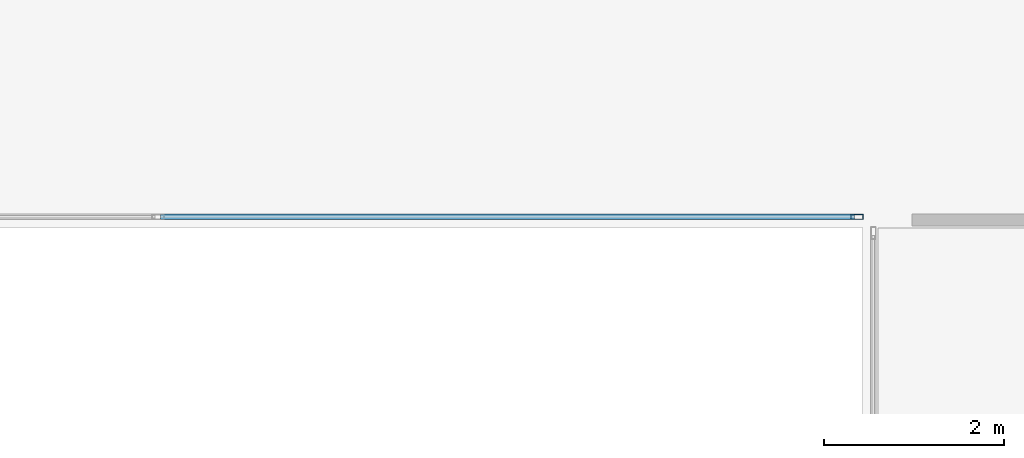
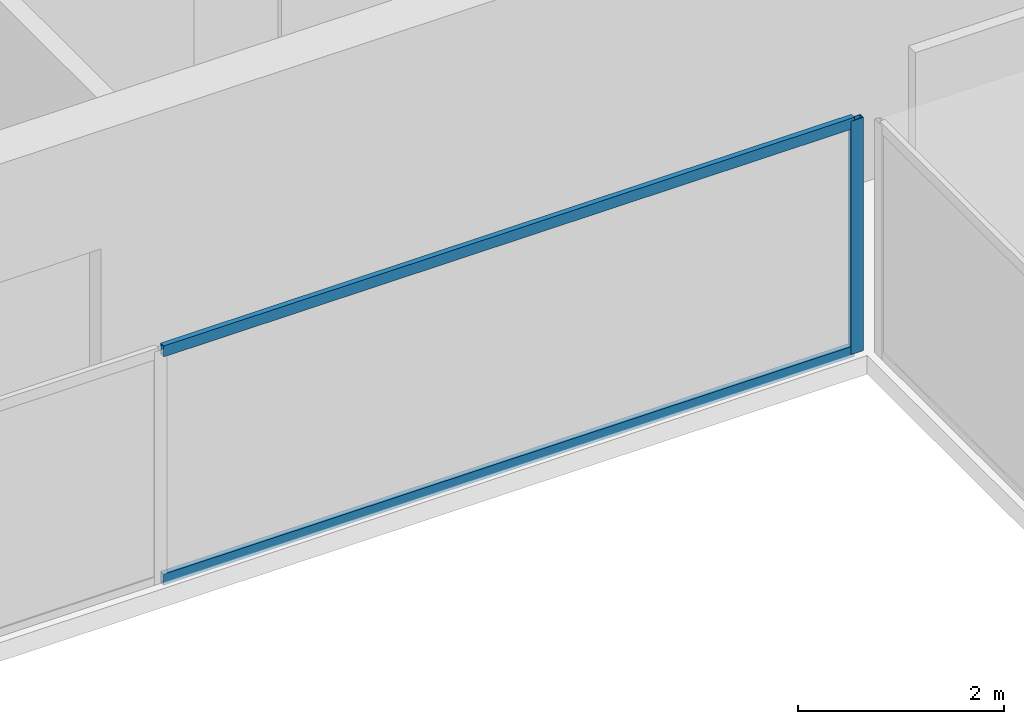
# One storey, part 11 of 29: 3 members, 1 element without a shape of its own.
"""IFC4 building model written with IfcOpenShell, lengths in metres."""

import ifcopenshell
import ifcopenshell.guid

model = None  # the IFC model being written
_history = None  # IfcOwnerHistory: only IFC2X3 demands one
_inside = {}  # id of a spatial element -> (the spatial element, [elements in it])
_under = {}  # id of a project, library or spatial element -> (it, [spatial elements below it])
_declared = {}  # id of a project -> (the project, [libraries it declares])
_typed = {}  # id of a type object -> (the type object, [elements of that type])
_made_of = {}  # id of a material, layer set ... -> (it, [elements and type objects made of it])


def new_model(schema):
    """Start an empty IFC model of exactly this schema.

    Asked for "IFC4X3", IfcOpenShell would pick the latest addendum, in which some entities
    have other attributes; the version numbers below select the first issue.
    IFC2X3 requires an IfcOwnerHistory on every rooted entity: one is made here for all.
    """
    global model, _history
    if schema == "IFC4X3":
        model = ifcopenshell.file(schema_version=(4, 3, 0, 0))
    else:
        model = ifcopenshell.file(schema=schema)
    _inside.clear()
    _under.clear()
    _declared.clear()
    _typed.clear()
    _made_of.clear()
    _history = None
    if model.schema == "IFC2X3":
        org = make("IfcOrganization", Name="unknown")
        user = make(
            "IfcPersonAndOrganization",
            ThePerson=make("IfcPerson", FamilyName="unknown"),
            TheOrganization=org,
        )
        app = make(
            "IfcApplication",
            ApplicationDeveloper=org,
            Version="unknown",
            ApplicationFullName="unknown",
            ApplicationIdentifier="unknown",
        )
        _history = make(
            "IfcOwnerHistory",
            OwningUser=user,
            OwningApplication=app,
            ChangeAction="ADDED",
            CreationDate=0,
        )
    return model


def make(cls, **values):
    """One entity of the class cls with the attributes given. An attribute that is None is left unset."""
    return model.create_entity(
        cls, **{name: value for name, value in values.items() if value is not None}
    )


def rooted(cls, **values):
    """An entity with a GlobalId (a new one), such as an element, a storey or a relation."""
    return make(cls, GlobalId=ifcopenshell.guid.new(), OwnerHistory=_history, **values)


def si_unit(unit_type, name, prefix=None):
    """IfcSIUnit, for example si_unit("LENGTHUNIT", "METRE", prefix="MILLI")."""
    return make("IfcSIUnit", UnitType=unit_type, Prefix=prefix, Name=name)


def assignment(units):
    """IfcUnitAssignment: the units of a project."""
    return None if units is None else make("IfcUnitAssignment", Units=units)


def point(xyz):
    """IfcCartesianPoint."""
    return None if xyz is None else make("IfcCartesianPoint", Coordinates=xyz)


def direction(xyz):
    """IfcDirection."""
    return None if xyz is None else make("IfcDirection", DirectionRatios=xyz)


def frame(location, z_axis=None, x_axis=None):
    """IfcAxis2Placement3D, a coordinate frame: its origin and axes. An axis left out is left unset."""
    return make(
        "IfcAxis2Placement3D",
        Location=point(location),
        Axis=direction(z_axis),
        RefDirection=direction(x_axis),
    )


def frame_2d(location, x_axis=None):
    """IfcAxis2Placement2D, a coordinate frame in the plane: its origin and x axis."""
    return make(
        "IfcAxis2Placement2D", Location=point(location), RefDirection=direction(x_axis)
    )


def origin():
    """The frame at (0, 0, 0) with its axes left unset."""
    return frame((0.0, 0.0, 0.0))


def origin_2d():
    """The frame at (0, 0) in the plane with its x axis left unset."""
    return frame_2d((0.0, 0.0))


def place(relative_to, where):
    """IfcLocalPlacement: puts the frame where relative to a parent placement (None: the world)."""
    return make(
        "IfcLocalPlacement", PlacementRelTo=relative_to, RelativePlacement=where
    )


def context(
    kind, dimensions, precision=None, world=None, true_north=None, identifier=None
):
    """IfcGeometricRepresentationContext, for example the 3D "Model" context."""
    return make(
        "IfcGeometricRepresentationContext",
        ContextIdentifier=identifier,
        ContextType=kind,
        CoordinateSpaceDimension=dimensions,
        Precision=precision,
        WorldCoordinateSystem=world,
        TrueNorth=true_north,
    )


def subcontext(parent, identifier, kind, view, scale=None):
    """IfcGeometricRepresentationSubContext, for example "Body" below "Model"."""
    return make(
        "IfcGeometricRepresentationSubContext",
        ContextIdentifier=identifier,
        ContextType=kind,
        ParentContext=parent,
        TargetScale=scale,
        TargetView=view,
    )


def project(units=None, contexts=None):
    """IfcProject with its units and contexts."""
    return rooted(
        "IfcProject",
        Name="project",
        RepresentationContexts=contexts,
        UnitsInContext=assignment(units),
    )


def spatial(cls, under=None, at=None, **own):
    """A site, building, storey or space (cls), placed at a placement, below another one or the project."""
    s = rooted(cls, ObjectPlacement=at, **own)
    if under is not None:
        _under.setdefault(under.id(), (under, []))[1].append(s)
    return s


def profile(cls, at=None, kind="AREA", **sizes):
    """A parametric profile (cls). Its sizes go by their IFC names, for example OverallWidth=200.0."""
    return make(cls, ProfileType=kind, Position=at, **sizes)


def hollow_rectangle(**sizes):
    """IfcRectangleHollowProfileDef."""
    return profile("IfcRectangleHollowProfileDef", **sizes)


def extrude(swept, where, along, depth):
    """IfcExtrudedAreaSolid: the profile swept, set in the frame where, extruded along a direction by depth."""
    return make(
        "IfcExtrudedAreaSolid",
        SweptArea=swept,
        Position=where,
        ExtrudedDirection=direction(along),
        Depth=depth,
    )


def shape(context_of_items, identifier, shape_type, items):
    """IfcShapeRepresentation: the items that make up one representation, for example the "Body"."""
    return make(
        "IfcShapeRepresentation",
        ContextOfItems=context_of_items,
        RepresentationIdentifier=identifier,
        RepresentationType=shape_type,
        Items=items,
    )


def source(mapping_origin, context_of_items, identifier, shape_type, items):
    """IfcRepresentationMap: a shape defined once, which mapped items show again and again."""
    return make(
        "IfcRepresentationMap",
        MappingOrigin=mapping_origin,
        MappedRepresentation=shape(context_of_items, identifier, shape_type, items),
    )


def transform(
    local_origin,
    x_axis=None,
    y_axis=None,
    z_axis=None,
    scale=None,
    scale2=None,
    scale3=None,
    uniform=True,
):
    """IfcCartesianTransformationOperator3D, or its non-uniform kind. x_axis, y_axis, z_axis: its Axis1, 2, 3."""
    if uniform:
        return make(
            "IfcCartesianTransformationOperator3D",
            Axis1=direction(x_axis),
            Axis2=direction(y_axis),
            LocalOrigin=point(local_origin),
            Scale=scale,
            Axis3=direction(z_axis),
        )
    return make(
        "IfcCartesianTransformationOperator3DnonUniform",
        Axis1=direction(x_axis),
        Axis2=direction(y_axis),
        LocalOrigin=point(local_origin),
        Scale=scale,
        Axis3=direction(z_axis),
        Scale2=scale2,
        Scale3=scale3,
    )


def mapped(mapping_source, mapping_target):
    """IfcMappedItem: shows the shape of a source again, moved by a transform."""
    return make(
        "IfcMappedItem", MappingSource=mapping_source, MappingTarget=mapping_target
    )


def material(Name=None, Category=None):
    """IfcMaterial."""
    return make("IfcMaterial", Name=Name, Category=Category)


def layer(
    of_material, thickness, ventilated=None, Name=None, Category=None, Priority=None
):
    """IfcMaterialLayer: one layer of a wall or slab, of a material (None: an air gap)."""
    return make(
        "IfcMaterialLayer",
        Material=of_material,
        LayerThickness=thickness,
        IsVentilated=ventilated,
        Name=Name,
        Category=Category,
        Priority=Priority,
    )


def layer_set(layers, Name=None):
    """IfcMaterialLayerSet."""
    return make("IfcMaterialLayerSet", MaterialLayers=layers, LayerSetName=Name)


def material_profile(
    of_material, cross_section, Name=None, Category=None, Priority=None
):
    """IfcMaterialProfile: a cross section and its material."""
    return make(
        "IfcMaterialProfile",
        Name=Name,
        Material=of_material,
        Profile=cross_section,
        Priority=Priority,
        Category=Category,
    )


def profile_set(profiles, Name=None, composite=None):
    """IfcMaterialProfileSet."""
    return make(
        "IfcMaterialProfileSet",
        Name=Name,
        MaterialProfiles=profiles,
        CompositeProfile=composite,
    )


def made_of(thing, what):
    """Note that an element or type object is made of a material, layer set ...; save() writes the relation."""
    if what is not None:
        _made_of.setdefault(what.id(), (what, []))[1].append(thing)
    return thing


def type_object(cls, material=None, **own):
    """A type object (cls), such as IfcWallType, which elements share."""
    return made_of(rooted(cls, **own), material)


def element(
    cls,
    number,
    at=None,
    inside=None,
    cuts=None,
    type_object=None,
    material=None,
    context=None,
    identifier="Body",
    shape_type=None,
    held_by="IfcProductDefinitionShape",
    body=None,
    shapes=None,
    **own,
):
    """One element of the class cls, such as IfcWall. Its Tag is "e" and its number.

    at: its placement. inside: the storey or other place that contains it. cuts: it is an
    opening in that element (IfcRelVoidsElement). A single representation is given by context,
    identifier, shape_type and body (its items); several are given by shapes. held_by: the class
    of the entity that holds the representations. save() writes the other relations.
    """
    e = rooted(cls, Tag="e%d" % number, ObjectPlacement=at, **own)
    if body is not None:
        shapes = [shape(context, identifier, shape_type, body)]
    if shapes is not None:
        e.Representation = make(held_by, Representations=shapes)
    if inside is not None:
        _inside.setdefault(inside.id(), (inside, []))[1].append(e)
    if cuts is not None:
        rooted(
            "IfcRelVoidsElement", RelatingBuildingElement=cuts, RelatedOpeningElement=e
        )
    if type_object is not None:
        _typed.setdefault(type_object.id(), (type_object, []))[1].append(e)
    return made_of(e, material)


def aggregate(whole, parts):
    """IfcRelAggregates: a whole, such as a stair, and the parts it consists of."""
    return rooted("IfcRelAggregates", RelatingObject=whole, RelatedObjects=parts)


def save(model, path):
    """Write the relations noted so far, then the file.

    IfcRelAggregates (storeys below a building ...), IfcRelContainedInSpatialStructure (elements
    in a storey), IfcRelDefinesByType, IfcRelAssociatesMaterial and IfcRelDeclares: one each for
    every whole, place, type object, material and project.
    """
    for whole, parts in _under.values():
        aggregate(whole, parts)
    for where, things in _inside.values():
        rooted(
            "IfcRelContainedInSpatialStructure",
            RelatedElements=things,
            RelatingStructure=where,
        )
    for kind, things in _typed.values():
        rooted("IfcRelDefinesByType", RelatedObjects=things, RelatingType=kind)
    for what, things in _made_of.values():
        rooted("IfcRelAssociatesMaterial", RelatedObjects=things, RelatingMaterial=what)
    for by, libraries in _declared.values():
        rooted("IfcRelDeclares", RelatingContext=by, RelatedDefinitions=libraries)
    model.write(path)


model = new_model("IFC4")

# Units and contexts
model_context = context("Model", 3, precision=1e-05, world=origin(), true_north=direction((0.0, 1.0)))
body_context = subcontext(model_context, "Body", "Model", "MODEL_VIEW")
ifc_project = project(units=[si_unit("LENGTHUNIT", "METRE"), si_unit("AREAUNIT", "SQUARE_METRE"), si_unit("VOLUMEUNIT", "CUBIC_METRE"), si_unit("PLANEANGLEUNIT", "RADIAN"), si_unit("MASSUNIT", "GRAM", prefix="KILO")], contexts=[model_context])

# Site, building, storey
site_placement = place(None, origin())
site = spatial("IfcSite", under=ifc_project, at=site_placement, CompositionType="ELEMENT")
building_placement = place(site_placement, origin())
building = spatial("IfcBuilding", under=site, at=building_placement, Name="Sumidabori Civic Tower", CompositionType="ELEMENT")
storey_placement = place(building_placement, frame((0.0, 0.0, 203.60009765625)))
storey = spatial("IfcBuildingStorey", under=building, at=storey_placement, Name="L52", CompositionType="ELEMENT", Elevation=203.60009765625)

# Curtain wall, members
ifc_material = material(Name="Anodised Bronze Aluminium AW-6063-T6", Category="aluminium")
ifc_layer = layer(ifc_material, 0.179931640625, Name="Anodised Bronze Aluminium AW-6063-T6")
ifc_layer_set = layer_set([ifc_layer], Name="Anodised Bronze Aluminium AW-6063-T6")
curtain_wall_type = type_object("IfcCurtainWallType", Name="CW-SYS-4", PredefinedType="NOTDEFINED", material=ifc_layer_set)
curtain_wall_placement = place(storey_placement, origin())
curtain_wall = element("IfcCurtainWall", 1, at=curtain_wall_placement, inside=storey, type_object=curtain_wall_type, Name="Curtain Wall CW:L52:R05", PredefinedType="NOTDEFINED")
ifc_material_profile_1 = material_profile(ifc_material, hollow_rectangle(XDim=0.06005859375, YDim=0.139892578125, WallThickness=0.0048828125, at=origin_2d()), Name="ALU MULLION 140x60")
ifc_profile_set_1 = profile_set([ifc_material_profile_1], Name="Anodised Bronze Aluminium AW-6063-T6")
member_type_1 = type_object("IfcMemberType", Name="CW-MUL-140", PredefinedType="MULLION", material=ifc_profile_set_1)
shared_shape_1 = source(origin(), body_context, "Body", "SweptSolid", [
    extrude(hollow_rectangle(XDim=0.06005859375, YDim=0.139892578125, WallThickness=0.0048828125, at=origin_2d()), origin(), (0.0, 0.0, 1.0), 2.760009765625),
])
member_1_placement = place(storey_placement, frame((7.7900390625, 7.52001953125, 0.0), z_axis=(0.0, 0.0, 1.0), x_axis=(0.0, 1.0, 0.0)))
member_1 = element("IfcMember", 2, at=member_1_placement, type_object=member_type_1, Name="CW-4 mullion 3", PredefinedType="MULLION", context=body_context, shape_type="MappedRepresentation", body=[
    mapped(shared_shape_1, transform((0.0, 0.0, 0.0), x_axis=(1.0, 0.0, 0.0), y_axis=(0.0, 1.0, 0.0), z_axis=(0.0, 0.0, 1.0), scale=1.0)),
])
ifc_material_profile_2 = material_profile(ifc_material, hollow_rectangle(XDim=0.06005859375, YDim=0.1298828125, WallThickness=0.0048828125, at=origin_2d()), Name="ALU TRANSOM 130x60")
ifc_profile_set_2 = profile_set([ifc_material_profile_2], Name="Anodised Bronze Aluminium AW-6063-T6")
member_type_2 = type_object("IfcMemberType", Name="CW-TRN-130", PredefinedType="USERDEFINED", material=ifc_profile_set_2)
shared_shape_2 = source(origin(), body_context, "Body", "SweptSolid", [
    extrude(hollow_rectangle(XDim=0.06005859375, YDim=0.1298828125, WallThickness=0.0048828125, at=origin_2d()), origin(), (0.0, 0.0, 1.0), 7.72998046875),
])
member_2_placement = place(storey_placement, frame((0.030029296875, 7.52001953125, 0.02978515625), z_axis=(1.0, 0.0, 0.0), x_axis=(0.0, 1.0, 0.0)))
member_2 = element("IfcMember", 3, at=member_2_placement, type_object=member_type_2, Name="CW-4 transom 2.1", ObjectType="TRANSOM", PredefinedType="USERDEFINED", context=body_context, shape_type="MappedRepresentation", body=[
    mapped(shared_shape_2, transform((0.0, 0.0, 0.0), x_axis=(1.0, 0.0, 0.0), y_axis=(0.0, 1.0, 0.0), z_axis=(0.0, 0.0, 1.0), scale=1.0)),
])
member_3_placement = place(storey_placement, frame((0.030029296875, 7.52001953125, 2.72998046875), z_axis=(1.0, 0.0, 0.0), x_axis=(0.0, 1.0, 0.0)))
member_3 = element("IfcMember", 4, at=member_3_placement, type_object=member_type_2, Name="CW-4 transom 2.2", ObjectType="TRANSOM", PredefinedType="USERDEFINED", context=body_context, shape_type="MappedRepresentation", body=[
    mapped(shared_shape_2, transform((0.0, 0.0, 0.0), x_axis=(1.0, 0.0, 0.0), y_axis=(0.0, 1.0, 0.0), z_axis=(0.0, 0.0, 1.0), scale=1.0)),
])
aggregate(curtain_wall, [member_1, member_2, member_3])

save(model, "model.ifc")
